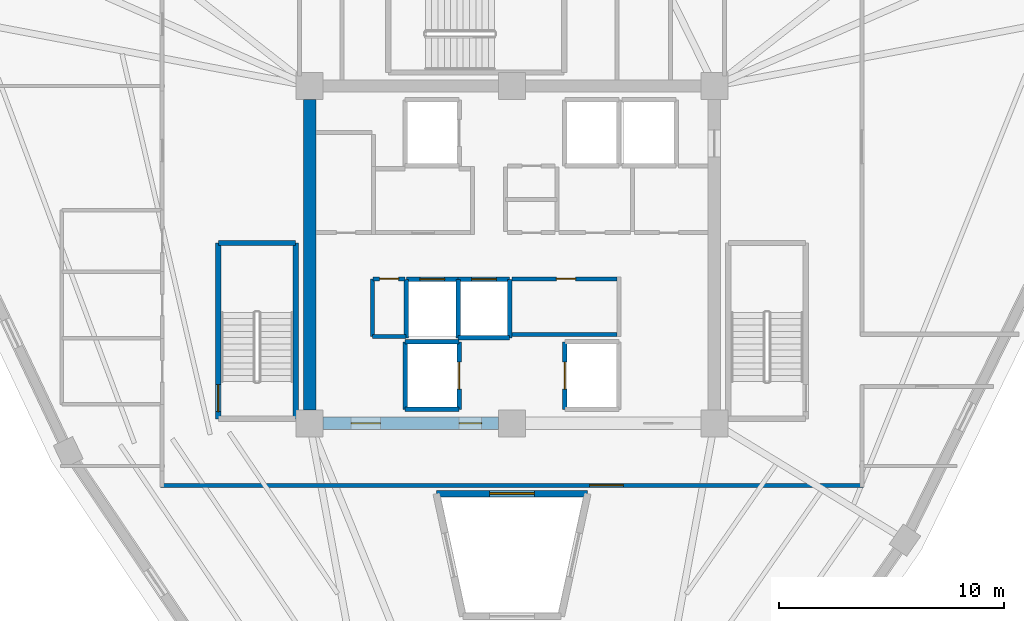
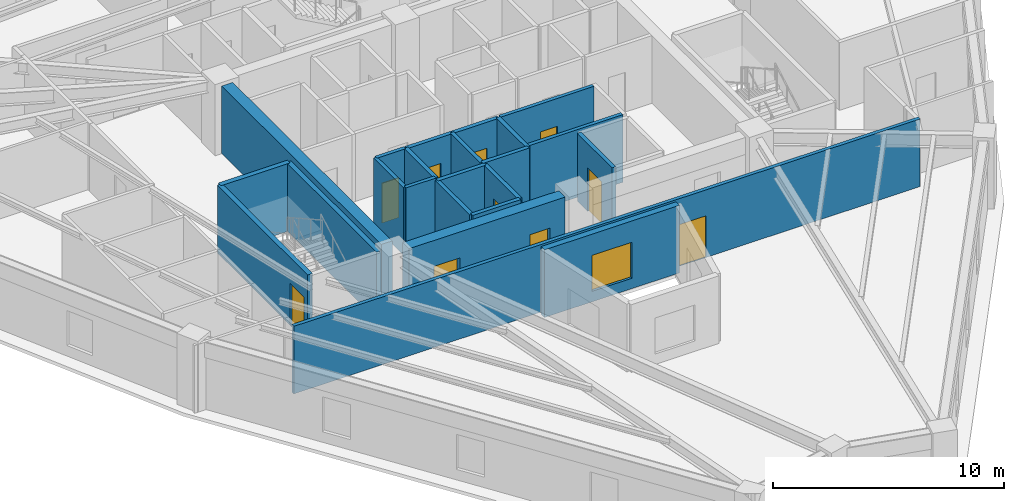
# One storey, part 3 of 8: 23 walls, 10 doors, 1 window, 11 openings.
"""IFC4 building model written with IfcOpenShell, lengths in metres."""

import ifcopenshell
import ifcopenshell.guid

model = None  # the IFC model being written
_history = None  # IfcOwnerHistory: only IFC2X3 demands one
_inside = {}  # id of a spatial element -> (the spatial element, [elements in it])
_under = {}  # id of a project, library or spatial element -> (it, [spatial elements below it])
_declared = {}  # id of a project -> (the project, [libraries it declares])
_typed = {}  # id of a type object -> (the type object, [elements of that type])
_made_of = {}  # id of a material, layer set ... -> (it, [elements and type objects made of it])


def new_model(schema):
    """Start an empty IFC model of exactly this schema.

    Asked for "IFC4X3", IfcOpenShell would pick the latest addendum, in which some entities
    have other attributes; the version numbers below select the first issue.
    IFC2X3 requires an IfcOwnerHistory on every rooted entity: one is made here for all.
    """
    global model, _history
    if schema == "IFC4X3":
        model = ifcopenshell.file(schema_version=(4, 3, 0, 0))
    else:
        model = ifcopenshell.file(schema=schema)
    _inside.clear()
    _under.clear()
    _declared.clear()
    _typed.clear()
    _made_of.clear()
    _history = None
    if model.schema == "IFC2X3":
        org = make("IfcOrganization", Name="unknown")
        user = make(
            "IfcPersonAndOrganization",
            ThePerson=make("IfcPerson", FamilyName="unknown"),
            TheOrganization=org,
        )
        app = make(
            "IfcApplication",
            ApplicationDeveloper=org,
            Version="unknown",
            ApplicationFullName="unknown",
            ApplicationIdentifier="unknown",
        )
        _history = make(
            "IfcOwnerHistory",
            OwningUser=user,
            OwningApplication=app,
            ChangeAction="ADDED",
            CreationDate=0,
        )
    return model


def make(cls, **values):
    """One entity of the class cls with the attributes given. An attribute that is None is left unset."""
    return model.create_entity(
        cls, **{name: value for name, value in values.items() if value is not None}
    )


def rooted(cls, **values):
    """An entity with a GlobalId (a new one), such as an element, a storey or a relation."""
    return make(cls, GlobalId=ifcopenshell.guid.new(), OwnerHistory=_history, **values)


def si_unit(unit_type, name, prefix=None):
    """IfcSIUnit, for example si_unit("LENGTHUNIT", "METRE", prefix="MILLI")."""
    return make("IfcSIUnit", UnitType=unit_type, Prefix=prefix, Name=name)


def assignment(units):
    """IfcUnitAssignment: the units of a project."""
    return None if units is None else make("IfcUnitAssignment", Units=units)


def point(xyz):
    """IfcCartesianPoint."""
    return None if xyz is None else make("IfcCartesianPoint", Coordinates=xyz)


def direction(xyz):
    """IfcDirection."""
    return None if xyz is None else make("IfcDirection", DirectionRatios=xyz)


def frame(location, z_axis=None, x_axis=None):
    """IfcAxis2Placement3D, a coordinate frame: its origin and axes. An axis left out is left unset."""
    return make(
        "IfcAxis2Placement3D",
        Location=point(location),
        Axis=direction(z_axis),
        RefDirection=direction(x_axis),
    )


def frame_2d(location, x_axis=None):
    """IfcAxis2Placement2D, a coordinate frame in the plane: its origin and x axis."""
    return make(
        "IfcAxis2Placement2D", Location=point(location), RefDirection=direction(x_axis)
    )


def origin():
    """The frame at (0, 0, 0) with its axes left unset."""
    return frame((0.0, 0.0, 0.0))


def place(relative_to, where):
    """IfcLocalPlacement: puts the frame where relative to a parent placement (None: the world)."""
    return make(
        "IfcLocalPlacement", PlacementRelTo=relative_to, RelativePlacement=where
    )


def context(
    kind, dimensions, precision=None, world=None, true_north=None, identifier=None
):
    """IfcGeometricRepresentationContext, for example the 3D "Model" context."""
    return make(
        "IfcGeometricRepresentationContext",
        ContextIdentifier=identifier,
        ContextType=kind,
        CoordinateSpaceDimension=dimensions,
        Precision=precision,
        WorldCoordinateSystem=world,
        TrueNorth=true_north,
    )


def subcontext(parent, identifier, kind, view, scale=None):
    """IfcGeometricRepresentationSubContext, for example "Body" below "Model"."""
    return make(
        "IfcGeometricRepresentationSubContext",
        ContextIdentifier=identifier,
        ContextType=kind,
        ParentContext=parent,
        TargetScale=scale,
        TargetView=view,
    )


def project(units=None, contexts=None):
    """IfcProject with its units and contexts."""
    return rooted(
        "IfcProject",
        Name="project",
        RepresentationContexts=contexts,
        UnitsInContext=assignment(units),
    )


def spatial(cls, under=None, at=None, **own):
    """A site, building, storey or space (cls), placed at a placement, below another one or the project."""
    s = rooted(cls, ObjectPlacement=at, **own)
    if under is not None:
        _under.setdefault(under.id(), (under, []))[1].append(s)
    return s


def profile(cls, at=None, kind="AREA", **sizes):
    """A parametric profile (cls). Its sizes go by their IFC names, for example OverallWidth=200.0."""
    return make(cls, ProfileType=kind, Position=at, **sizes)


def rectangle(**sizes):
    """IfcRectangleProfileDef."""
    return profile("IfcRectangleProfileDef", **sizes)


def extrude(swept, where, along, depth):
    """IfcExtrudedAreaSolid: the profile swept, set in the frame where, extruded along a direction by depth."""
    return make(
        "IfcExtrudedAreaSolid",
        SweptArea=swept,
        Position=where,
        ExtrudedDirection=direction(along),
        Depth=depth,
    )


def shape(context_of_items, identifier, shape_type, items):
    """IfcShapeRepresentation: the items that make up one representation, for example the "Body"."""
    return make(
        "IfcShapeRepresentation",
        ContextOfItems=context_of_items,
        RepresentationIdentifier=identifier,
        RepresentationType=shape_type,
        Items=items,
    )


def source(mapping_origin, context_of_items, identifier, shape_type, items):
    """IfcRepresentationMap: a shape defined once, which mapped items show again and again."""
    return make(
        "IfcRepresentationMap",
        MappingOrigin=mapping_origin,
        MappedRepresentation=shape(context_of_items, identifier, shape_type, items),
    )


def transform(
    local_origin,
    x_axis=None,
    y_axis=None,
    z_axis=None,
    scale=None,
    scale2=None,
    scale3=None,
    uniform=True,
):
    """IfcCartesianTransformationOperator3D, or its non-uniform kind. x_axis, y_axis, z_axis: its Axis1, 2, 3."""
    if uniform:
        return make(
            "IfcCartesianTransformationOperator3D",
            Axis1=direction(x_axis),
            Axis2=direction(y_axis),
            LocalOrigin=point(local_origin),
            Scale=scale,
            Axis3=direction(z_axis),
        )
    return make(
        "IfcCartesianTransformationOperator3DnonUniform",
        Axis1=direction(x_axis),
        Axis2=direction(y_axis),
        LocalOrigin=point(local_origin),
        Scale=scale,
        Axis3=direction(z_axis),
        Scale2=scale2,
        Scale3=scale3,
    )


def mapped(mapping_source, mapping_target):
    """IfcMappedItem: shows the shape of a source again, moved by a transform."""
    return make(
        "IfcMappedItem", MappingSource=mapping_source, MappingTarget=mapping_target
    )


def material(Name=None, Category=None):
    """IfcMaterial."""
    return make("IfcMaterial", Name=Name, Category=Category)


def layer(
    of_material, thickness, ventilated=None, Name=None, Category=None, Priority=None
):
    """IfcMaterialLayer: one layer of a wall or slab, of a material (None: an air gap)."""
    return make(
        "IfcMaterialLayer",
        Material=of_material,
        LayerThickness=thickness,
        IsVentilated=ventilated,
        Name=Name,
        Category=Category,
        Priority=Priority,
    )


def layer_set(layers, Name=None):
    """IfcMaterialLayerSet."""
    return make("IfcMaterialLayerSet", MaterialLayers=layers, LayerSetName=Name)


def made_of(thing, what):
    """Note that an element or type object is made of a material, layer set ...; save() writes the relation."""
    if what is not None:
        _made_of.setdefault(what.id(), (what, []))[1].append(thing)
    return thing


def type_object(cls, material=None, **own):
    """A type object (cls), such as IfcWallType, which elements share."""
    return made_of(rooted(cls, **own), material)


def element(
    cls,
    number,
    at=None,
    inside=None,
    cuts=None,
    type_object=None,
    material=None,
    context=None,
    identifier="Body",
    shape_type=None,
    held_by="IfcProductDefinitionShape",
    body=None,
    shapes=None,
    **own,
):
    """One element of the class cls, such as IfcWall. Its Tag is "e" and its number.

    at: its placement. inside: the storey or other place that contains it. cuts: it is an
    opening in that element (IfcRelVoidsElement). A single representation is given by context,
    identifier, shape_type and body (its items); several are given by shapes. held_by: the class
    of the entity that holds the representations. save() writes the other relations.
    """
    e = rooted(cls, Tag="e%d" % number, ObjectPlacement=at, **own)
    if body is not None:
        shapes = [shape(context, identifier, shape_type, body)]
    if shapes is not None:
        e.Representation = make(held_by, Representations=shapes)
    if inside is not None:
        _inside.setdefault(inside.id(), (inside, []))[1].append(e)
    if cuts is not None:
        rooted(
            "IfcRelVoidsElement", RelatingBuildingElement=cuts, RelatedOpeningElement=e
        )
    if type_object is not None:
        _typed.setdefault(type_object.id(), (type_object, []))[1].append(e)
    return made_of(e, material)


def fill(opening, filler):
    """IfcRelFillsElement: the door or window that sits in an opening."""
    return rooted(
        "IfcRelFillsElement",
        RelatingOpeningElement=opening,
        RelatedBuildingElement=filler,
    )


def aggregate(whole, parts):
    """IfcRelAggregates: a whole, such as a stair, and the parts it consists of."""
    return rooted("IfcRelAggregates", RelatingObject=whole, RelatedObjects=parts)


def save(model, path):
    """Write the relations noted so far, then the file.

    IfcRelAggregates (storeys below a building ...), IfcRelContainedInSpatialStructure (elements
    in a storey), IfcRelDefinesByType, IfcRelAssociatesMaterial and IfcRelDeclares: one each for
    every whole, place, type object, material and project.
    """
    for whole, parts in _under.values():
        aggregate(whole, parts)
    for where, things in _inside.values():
        rooted(
            "IfcRelContainedInSpatialStructure",
            RelatedElements=things,
            RelatingStructure=where,
        )
    for kind, things in _typed.values():
        rooted("IfcRelDefinesByType", RelatedObjects=things, RelatingType=kind)
    for what, things in _made_of.values():
        rooted("IfcRelAssociatesMaterial", RelatedObjects=things, RelatingMaterial=what)
    for by, libraries in _declared.values():
        rooted("IfcRelDeclares", RelatingContext=by, RelatedDefinitions=libraries)
    model.write(path)


model = new_model("IFC4")

# Units and contexts
model_context = context("Model", 3, precision=1e-05, world=origin(), true_north=direction((0.0, 1.0)))
body_context = subcontext(model_context, "Body", "Model", "MODEL_VIEW")
ifc_project = project(units=[si_unit("LENGTHUNIT", "METRE"), si_unit("AREAUNIT", "SQUARE_METRE"), si_unit("VOLUMEUNIT", "CUBIC_METRE"), si_unit("PLANEANGLEUNIT", "RADIAN"), si_unit("MASSUNIT", "GRAM", prefix="KILO")], contexts=[model_context])

# Site, building, storey
site_placement = place(None, origin())
site = spatial("IfcSite", under=ifc_project, at=site_placement, CompositionType="ELEMENT")
building_placement = place(site_placement, origin())
building = spatial("IfcBuilding", under=site, at=building_placement, Name="Liaohun Quay Tower", CompositionType="ELEMENT")
storey_placement = place(building_placement, frame((0.0, 0.0, 336.0)))
storey = spatial("IfcBuildingStorey", under=building, at=storey_placement, Name="L87", CompositionType="ELEMENT", Elevation=336.0)

# Wall, opening, window
ifc_material_1 = material(Name="Concrete C50", Category="concrete")
ifc_layer_1 = layer(ifc_material_1, 0.300048828125, Name="Concrete C50", Category="concrete")
ifc_layer_set_1 = layer_set([ifc_layer_1], Name="Concrete C50")
wall_type_1 = type_object("IfcWallType", Name="WAL-ATR-300", PredefinedType="SOLIDWALL", material=ifc_layer_set_1)
wall_1_placement = place(storey_placement, frame((56.631103515625, 43.3701171875, 0.0), z_axis=(0.0, 0.0, 1.0), x_axis=(1.0, 0.0, 0.0)))
wall_1 = element("IfcWall", 1, at=wall_1_placement, inside=storey, type_object=wall_type_1, Name="L87 Atrium Fire Compartment Wall 2", PredefinedType="SOLIDWALL", context=body_context, shape_type="SweptSolid", body=[
    extrude(rectangle(XDim=6.73779296875, YDim=0.300048828125, at=frame_2d((3.368896484375, 0.0))), origin(), (0.0, 0.0, 1.0), 3.570068359375),
])
shared_shape_1 = source(origin(), body_context, "Body", "SweptSolid", [
    extrude(rectangle(XDim=2.0, YDim=1.89990234375, at=frame_2d((1.0, 0.949951171875))), frame((0.0, 0.159912109375, 0.0), z_axis=(0.0, -1.0, 0.0), x_axis=(1.0, 0.0, 0.0)), (0.0, 0.0, 1.0), 0.320068359375),
])
opening_1_placement = place(wall_1_placement, frame((2.368896484375, 0.0, 0.550048828125)))
opening_1 = element("IfcOpeningElement", 2, at=opening_1_placement, cuts=wall_1, Name="Opening W07", PredefinedType="OPENING", context=body_context, shape_type="MappedRepresentation", body=[
    mapped(shared_shape_1, transform((0.0, 0.0, 0.0), x_axis=(1.0, 0.0, 0.0), y_axis=(0.0, 1.0, 0.0), z_axis=(0.0, 0.0, 1.0), scale=1.0)),
])
ifc_material_2 = material(Name="Class A 180-min fire-resistant insulated glazing", Category="glass")
window_type = type_object("IfcWindowType", Name="WIN-ATR-FIR", PartitioningType="DOUBLE_PANEL_VERTICAL", PredefinedType="WINDOW", material=ifc_material_2)
shared_shape_2 = source(origin(), body_context, "Body", "SweptSolid", [
    extrude(rectangle(XDim=2.0, YDim=1.89990234375, at=frame_2d((1.0, 0.949951171875))), frame((0.0, 0.030029296875, 0.0), z_axis=(0.0, -1.0, 0.0), x_axis=(1.0, 0.0, 0.0)), (0.0, 0.0, 1.0), 0.06005859375),
])
window_placement = place(opening_1_placement, origin())
window = element("IfcWindow", 3, at=window_placement, inside=storey, type_object=window_type, Name="L87 Atrium Fire-Resistant Glazing W07-2", OverallHeight=1.89990234375, OverallWidth=2.0, PartitioningType="DOUBLE_PANEL_VERTICAL", PredefinedType="WINDOW", context=body_context, shape_type="MappedRepresentation", body=[
    mapped(shared_shape_2, transform((0.0, 0.0, 0.0), x_axis=(1.0, 0.0, 0.0), y_axis=(0.0, 1.0, 0.0), z_axis=(0.0, 0.0, 1.0), scale=1.0)),
])
fill(opening_1, window)

# Wall, openings, doors
ifc_layer_2 = layer(ifc_material_1, 0.550048828125, Name="Concrete C50", Category="concrete")
ifc_layer_set_2 = layer_set([ifc_layer_2], Name="Concrete C50")
wall_type_2 = type_object("IfcWallType", Name="WAL-COR-Z4", PredefinedType="SHEAR", material=ifc_layer_set_2)
wall_2_placement = place(storey_placement, frame((59.39990234375, 46.5, 0.0), z_axis=(0.0, 0.0, 1.0), x_axis=(-1.0, 0.0, 0.0)))
wall_2 = element("IfcWall", 4, at=wall_2_placement, inside=storey, type_object=wall_type_2, Name="L87 Central Core Shear Wall S-W", PredefinedType="SHEAR", context=body_context, shape_type="SweptSolid", body=[
    extrude(rectangle(XDim=7.7998046875, YDim=0.550048828125, at=frame_2d((3.89990234375, 0.0))), origin(), (0.0, 0.0, 1.0), 3.570068359375),
])
shared_shape_3 = source(origin(), body_context, "Body", "SweptSolid", [
    extrude(rectangle(XDim=1.300048828125, YDim=2.199951171875, at=frame_2d((0.64990234375, 1.10009765625))), frame((0.0, 0.284912109375, 0.0), z_axis=(0.0, -1.0, 0.0), x_axis=(1.0, 0.0, 0.0)), (0.0, 0.0, 1.0), 0.570068359375),
])
opening_2_placement = place(wall_2_placement, frame((5.25, 0.0, 0.0)))
opening_2 = element("IfcOpeningElement", 5, at=opening_2_placement, cuts=wall_2, Name="Opening FD1", PredefinedType="OPENING", context=body_context, shape_type="MappedRepresentation", body=[
    mapped(shared_shape_3, transform((0.0, 0.0, 0.0), x_axis=(1.0, 0.0, 0.0), y_axis=(0.0, 1.0, 0.0), z_axis=(0.0, 0.0, 1.0), scale=1.0)),
])
shared_shape_4 = source(origin(), body_context, "Body", "SweptSolid", [
    extrude(rectangle(XDim=1.0, YDim=2.199951171875, at=frame_2d((0.5, 1.10009765625))), frame((0.0, 0.284912109375, 0.0), z_axis=(0.0, -1.0, 0.0), x_axis=(1.0, 0.0, 0.0)), (0.0, 0.0, 1.0), 0.570068359375),
])
opening_3_placement = place(wall_2_placement, frame((0.75, 0.0, 0.0)))
opening_3 = element("IfcOpeningElement", 6, at=opening_3_placement, cuts=wall_2, Name="Opening FD2", PredefinedType="OPENING", context=body_context, shape_type="MappedRepresentation", body=[
    mapped(shared_shape_4, transform((0.0, 0.0, 0.0), x_axis=(1.0, 0.0, 0.0), y_axis=(0.0, 1.0, 0.0), z_axis=(0.0, 0.0, 1.0), scale=1.0)),
])
ifc_material_3 = material(Name="Galvanised steel smokeproof fire door", Category="steel")
door_type_1 = type_object("IfcDoorType", Name="DOR-FFL-1300", OperationType="NOTDEFINED", PredefinedType="DOOR", material=ifc_material_3)
shared_shape_5 = source(origin(), body_context, "Body", "SweptSolid", [
    extrude(rectangle(XDim=1.300048828125, YDim=2.199951171875, at=frame_2d((0.64990234375, 1.10009765625))), frame((0.0, 0.02490234375, 0.0), z_axis=(0.0, -1.0, 0.0), x_axis=(1.0, 0.0, 0.0)), (0.0, 0.0, 1.0), 0.050048828125),
])
door_1_placement = place(opening_2_placement, origin())
door_1 = element("IfcDoor", 7, at=door_1_placement, inside=storey, type_object=door_type_1, Name="L87 West Core Lift Lobby Smokeproof Door", OperationType="SINGLE_SWING_RIGHT", OverallHeight=2.199951171875, OverallWidth=1.300048828125, PredefinedType="DOOR", context=body_context, shape_type="MappedRepresentation", body=[
    mapped(shared_shape_5, transform((0.0, 0.0, 0.0), x_axis=(1.0, 0.0, 0.0), y_axis=(0.0, 1.0, 0.0), z_axis=(0.0, 0.0, 1.0), scale=1.0)),
])
fill(opening_2, door_1)
ifc_material_4 = material(Name="Galvanised steel smokeproof lobby fire door", Category="steel")
door_type_2 = type_object("IfcDoorType", Name="DOR-FFL-1000", OperationType="NOTDEFINED", PredefinedType="DOOR", material=ifc_material_4)
shared_shape_6 = source(origin(), body_context, "Body", "SweptSolid", [
    extrude(rectangle(XDim=1.0, YDim=2.199951171875, at=frame_2d((0.5, 1.10009765625))), frame((0.0, 0.02490234375, 0.0), z_axis=(0.0, -1.0, 0.0), x_axis=(1.0, 0.0, 0.0)), (0.0, 0.0, 1.0), 0.050048828125),
])
door_2_placement = place(opening_3_placement, origin())
door_2 = element("IfcDoor", 8, at=door_2_placement, inside=storey, type_object=door_type_2, Name="L87 South Firefighting Lobby Smokeproof Door", OperationType="SINGLE_SWING_LEFT", OverallHeight=2.199951171875, OverallWidth=1.0, PredefinedType="DOOR", context=body_context, shape_type="MappedRepresentation", body=[
    mapped(shared_shape_6, transform((0.0, 0.0, 0.0), x_axis=(1.0, 0.0, 0.0), y_axis=(0.0, 1.0, 0.0), z_axis=(0.0, 0.0, 1.0), scale=1.0)),
])
fill(opening_3, door_2)

# Wall
wall_3_placement = place(storey_placement, frame((51.0, 47.10009765625, 0.0), z_axis=(0.0, 0.0, 1.0), x_axis=(0.0, 1.0, 0.0)))
element("IfcWall", 9, at=wall_3_placement, inside=storey, type_object=wall_type_2, Name="L87 Central Core Shear Wall W", PredefinedType="SHEAR", context=body_context, shape_type="SweptSolid", body=[
    extrude(rectangle(XDim=13.7998046875, YDim=0.550048828125, at=frame_2d((6.89990234375, 0.0))), origin(), (0.0, 0.0, 1.0), 3.570068359375),
])

# Wall, opening, door
ifc_material_5 = material(Name="Autoclaved aerated concrete blockwork", Category="masonry")
ifc_layer_3 = layer(ifc_material_5, 0.179931640625, Name="Autoclaved aerated concrete blockwork", Category="masonry")
ifc_layer_set_3 = layer_set([ifc_layer_3], Name="Autoclaved aerated concrete blockwork")
wall_type_3 = type_object("IfcWallType", Name="WAL-PRT-COR", PredefinedType="PARTITIONING", material=ifc_layer_set_3)
wall_4_placement = place(storey_placement, frame((60.0, 52.919921875, 0.0), z_axis=(0.0, 0.0, 1.0), x_axis=(1.0, 0.0, 0.0)))
wall_4 = element("IfcWall", 10, at=wall_4_placement, inside=storey, type_object=wall_type_3, Name="L87 Interior Partition Wall 001", PredefinedType="PARTITIONING", context=body_context, shape_type="SweptSolid", body=[
    extrude(rectangle(XDim=4.659912109375, YDim=0.179931640625, at=frame_2d((2.330078125, 0.0))), origin(), (0.0, 0.0, 1.0), 3.570068359375),
])
shared_shape_7 = source(origin(), body_context, "Body", "SweptSolid", [
    extrude(rectangle(XDim=0.85009765625, YDim=2.10009765625, at=frame_2d((0.425048828125, 1.050048828125))), frame((0.0, 0.099853515625, 0.0), z_axis=(0.0, -1.0, 0.0), x_axis=(1.0, 0.0, 0.0)), (0.0, 0.0, 1.0), 0.199951171875),
])
opening_4_placement = place(wall_4_placement, frame((1.97509765625, 0.0, 0.0)))
opening_4 = element("IfcOpeningElement", 11, at=opening_4_placement, cuts=wall_4, Name="Opening AD1", PredefinedType="OPENING", context=body_context, shape_type="MappedRepresentation", body=[
    mapped(shared_shape_7, transform((0.0, 0.0, 0.0), x_axis=(1.0, 0.0, 0.0), y_axis=(0.0, 1.0, 0.0), z_axis=(0.0, 0.0, 1.0), scale=1.0)),
])
ifc_material_6 = material(Name="Steel riser inspection fire door", Category="steel")
door_type_3 = type_object("IfcDoorType", Name="DOR-SHF-850", OperationType="NOTDEFINED", PredefinedType="DOOR", material=ifc_material_6)
shared_shape_8 = source(origin(), body_context, "Body", "SweptSolid", [
    extrude(rectangle(XDim=0.85009765625, YDim=2.10009765625, at=frame_2d((0.425048828125, 1.050048828125))), frame((0.0, 0.02490234375, 0.0), z_axis=(0.0, -1.0, 0.0), x_axis=(1.0, 0.0, 0.0)), (0.0, 0.0, 1.0), 0.050048828125),
])
door_3_placement = place(opening_4_placement, origin())
door_3 = element("IfcDoor", 12, at=door_3_placement, inside=storey, type_object=door_type_3, Name="L87 Core High-Zone BMS and Switch Room Door", OperationType="SINGLE_SWING_LEFT", OverallHeight=2.10009765625, OverallWidth=0.85009765625, PredefinedType="DOOR", context=body_context, shape_type="MappedRepresentation", body=[
    mapped(shared_shape_8, transform((0.0, 0.0, 0.0), x_axis=(1.0, 0.0, 0.0), y_axis=(0.0, 1.0, 0.0), z_axis=(0.0, 0.0, 1.0), scale=1.0)),
])
fill(opening_4, door_3)

wall_5_placement = place(storey_placement, frame((53.820068359375, 52.919921875, 0.0), z_axis=(0.0, 0.0, 1.0), x_axis=(1.0, 0.0, 0.0)))
wall_5 = element("IfcWall", 13, at=wall_5_placement, inside=storey, type_object=wall_type_3, Name="L87 Interior Partition Wall 008", PredefinedType="PARTITIONING", context=body_context, shape_type="SweptSolid", body=[
    extrude(rectangle(XDim=1.429931640625, YDim=0.179931640625, at=frame_2d((0.71484375, 0.0))), origin(), (0.0, 0.0, 1.0), 3.570068359375),
])
opening_5_placement = place(wall_5_placement, frame((0.2900390625, 0.0, 0.0)))
opening_5 = element("IfcOpeningElement", 14, at=opening_5_placement, cuts=wall_5, Name="Opening AD1", PredefinedType="OPENING", context=body_context, shape_type="MappedRepresentation", body=[
    mapped(shared_shape_7, transform((0.0, 0.0, 0.0), x_axis=(1.0, 0.0, 0.0), y_axis=(0.0, 1.0, 0.0), z_axis=(0.0, 0.0, 1.0), scale=1.0)),
])
door_4_placement = place(opening_5_placement, origin())
door_4 = element("IfcDoor", 15, at=door_4_placement, inside=storey, type_object=door_type_3, Name="L87 Core Fire Hose and Riser Closet Door", OperationType="SINGLE_SWING_RIGHT", OverallHeight=2.10009765625, OverallWidth=0.85009765625, PredefinedType="DOOR", context=body_context, shape_type="MappedRepresentation", body=[
    mapped(shared_shape_8, transform((0.0, 0.0, 0.0), x_axis=(1.0, 0.0, 0.0), y_axis=(0.0, 1.0, 0.0), z_axis=(0.0, 0.0, 1.0), scale=1.0)),
])
fill(opening_5, door_4)

wall_6_placement = place(storey_placement, frame((75.6298828125, 43.739990234375, 0.0), z_axis=(0.0, 0.0, 1.0), x_axis=(-1.0, 0.0, 0.0)))
wall_6 = element("IfcWall", 16, at=wall_6_placement, inside=storey, type_object=wall_type_3, Name="L87 Interior Partition Wall 026", PredefinedType="PARTITIONING", context=body_context, shape_type="SweptSolid", body=[
    extrude(rectangle(XDim=31.259765625, YDim=0.179931640625, at=frame_2d((15.6298828125, 0.0))), origin(), (0.0, 0.0, 1.0), 3.570068359375),
])
shared_shape_9 = source(origin(), body_context, "Body", "SweptSolid", [
    extrude(rectangle(XDim=1.5, YDim=2.199951171875, at=frame_2d((0.75, 1.10009765625))), frame((0.0, 0.099853515625, 0.0), z_axis=(0.0, -1.0, 0.0), x_axis=(1.0, 0.0, 0.0)), (0.0, 0.0, 1.0), 0.199951171875),
])
opening_6_placement = place(wall_6_placement, frame((10.679931640625, 0.0, 0.0)))
opening_6 = element("IfcOpeningElement", 17, at=opening_6_placement, cuts=wall_6, Name="Opening OD2", PredefinedType="OPENING", context=body_context, shape_type="MappedRepresentation", body=[
    mapped(shared_shape_9, transform((0.0, 0.0, 0.0), x_axis=(1.0, 0.0, 0.0), y_axis=(0.0, 1.0, 0.0), z_axis=(0.0, 0.0, 1.0), scale=1.0)),
])
ifc_material_7 = material(Name="Acoustic oak veneer double door")
door_type_4 = type_object("IfcDoorType", Name="DOR-OFF-1500", OperationType="DOUBLE_DOOR_SINGLE_SWING", PredefinedType="DOOR", material=ifc_material_7)
shared_shape_10 = source(origin(), body_context, "Body", "SweptSolid", [
    extrude(rectangle(XDim=1.5, YDim=2.199951171875, at=frame_2d((0.75, 1.10009765625))), frame((0.0, 0.02490234375, 0.0), z_axis=(0.0, -1.0, 0.0), x_axis=(1.0, 0.0, 0.0)), (0.0, 0.0, 1.0), 0.050048828125),
])
door_5_placement = place(opening_6_placement, origin())
door_5 = element("IfcDoor", 18, at=door_5_placement, inside=storey, type_object=door_type_4, Name="L87 Corporate Exhibition Gallery 08 Door", OperationType="DOUBLE_DOOR_SINGLE_SWING", OverallHeight=2.199951171875, OverallWidth=1.5, PredefinedType="DOOR", context=body_context, shape_type="MappedRepresentation", body=[
    mapped(shared_shape_10, transform((0.0, 0.0, 0.0), x_axis=(1.0, 0.0, 0.0), y_axis=(0.0, 1.0, 0.0), z_axis=(0.0, 0.0, 1.0), scale=1.0)),
])
fill(opening_6, door_5)

# Walls
wall_7_placement = place(storey_placement, frame((53.7900390625, 50.35009765625, 0.0), z_axis=(0.0, 0.0, 1.0), x_axis=(0.0, 1.0, 0.0)))
element("IfcWall", 19, at=wall_7_placement, inside=storey, type_object=wall_type_3, Name="L87 Interior Partition Wall 033", PredefinedType="PARTITIONING", context=body_context, shape_type="SweptSolid", body=[
    extrude(rectangle(XDim=2.56982421875, YDim=0.179931640625, at=frame_2d((1.284912109375, 0.0))), origin(), (0.0, 0.0, 1.0), 3.570068359375),
])
wall_8_placement = place(storey_placement, frame((53.7900390625, 50.35009765625, 0.0), z_axis=(0.0, 0.0, 1.0), x_axis=(1.0, 0.0, 0.0)))
element("IfcWall", 20, at=wall_8_placement, inside=storey, type_object=wall_type_3, Name="L87 Interior Partition Wall 034", PredefinedType="PARTITIONING", context=body_context, shape_type="SweptSolid", body=[
    extrude(rectangle(XDim=1.489990234375, YDim=0.179931640625, at=frame_2d((0.7451171875, 0.0))), origin(), (0.0, 0.0, 1.0), 3.570068359375),
])
wall_9_placement = place(storey_placement, frame((60.0, 50.449951171875, 0.0), z_axis=(0.0, 0.0, 1.0), x_axis=(1.0, 0.0, 0.0)))
element("IfcWall", 21, at=wall_9_placement, inside=storey, type_object=wall_type_3, Name="L87 Interior Partition Wall 062", PredefinedType="PARTITIONING", context=body_context, shape_type="SweptSolid", body=[
    extrude(rectangle(XDim=4.659912109375, YDim=0.179931640625, at=frame_2d((2.330078125, 0.0))), origin(), (0.0, 0.0, 1.0), 3.570068359375),
])
ifc_layer_4 = layer(ifc_material_1, 0.239990234375, Name="Concrete C50", Category="concrete")
ifc_layer_set_4 = layer_set([ifc_layer_4], Name="Concrete C50")
wall_type_4 = type_object("IfcWallType", Name="WAL-SHF-200", PredefinedType="SOLIDWALL", material=ifc_layer_set_4)
wall_10_placement = place(storey_placement, frame((50.3798828125, 46.699951171875, 0.0), z_axis=(0.0, 0.0, 1.0), x_axis=(0.0, 1.0, 0.0)))
element("IfcWall", 22, at=wall_10_placement, inside=storey, type_object=wall_type_4, Name="L87 Stairwell ST-1 Structural Core Wall E", PredefinedType="SOLIDWALL", context=body_context, shape_type="SweptSolid", body=[
    extrude(rectangle(XDim=7.820068359375, YDim=0.239990234375, at=frame_2d((3.91015625, 0.0))), origin(), (0.0, 0.0, 1.0), 3.570068359375),
])
wall_11_placement = place(storey_placement, frame((50.3798828125, 54.52001953125, 0.0), z_axis=(0.0, 0.0, 1.0), x_axis=(-1.0, 0.0, 0.0)))
element("IfcWall", 23, at=wall_11_placement, inside=storey, type_object=wall_type_4, Name="L87 Stairwell ST-1 Structural Core Wall N", PredefinedType="SOLIDWALL", context=body_context, shape_type="SweptSolid", body=[
    extrude(rectangle(XDim=3.43994140625, YDim=0.239990234375, at=frame_2d((1.719970703125, 0.0))), origin(), (0.0, 0.0, 1.0), 3.570068359375),
])

# Wall, opening, door
wall_12_placement = place(storey_placement, frame((46.93994140625, 54.52001953125, 0.0), z_axis=(0.0, 0.0, 1.0), x_axis=(0.0, -1.0, 0.0)))
wall_12 = element("IfcWall", 24, at=wall_12_placement, inside=storey, type_object=wall_type_4, Name="L87 Stairwell ST-1 Structural Core Wall W", PredefinedType="SOLIDWALL", context=body_context, shape_type="SweptSolid", body=[
    extrude(rectangle(XDim=7.820068359375, YDim=0.239990234375, at=frame_2d((3.91015625, 0.0))), origin(), (0.0, 0.0, 1.0), 3.570068359375),
])
shared_shape_11 = source(origin(), body_context, "Body", "SweptSolid", [
    extrude(rectangle(XDim=1.199951171875, YDim=2.199951171875, at=frame_2d((0.60009765625, 1.10009765625))), frame((0.0, 0.1298828125, 0.0), z_axis=(0.0, -1.0, 0.0), x_axis=(1.0, 0.0, 0.0)), (0.0, 0.0, 1.0), 0.260009765625),
])
opening_7_placement = place(wall_12_placement, frame((6.300048828125, 0.0, 0.0)))
opening_7 = element("IfcOpeningElement", 25, at=opening_7_placement, cuts=wall_12, Name="Opening SD1", PredefinedType="OPENING", context=body_context, shape_type="MappedRepresentation", body=[
    mapped(shared_shape_11, transform((0.0, 0.0, 0.0), x_axis=(1.0, 0.0, 0.0), y_axis=(0.0, 1.0, 0.0), z_axis=(0.0, 0.0, 1.0), scale=1.0)),
])
ifc_material_8 = material(Name="Galvanised steel fire door", Category="steel")
door_type_5 = type_object("IfcDoorType", Name="DOR-STR-1200", OperationType="NOTDEFINED", PredefinedType="DOOR", material=ifc_material_8)
shared_shape_12 = source(origin(), body_context, "Body", "SweptSolid", [
    extrude(rectangle(XDim=1.199951171875, YDim=2.199951171875, at=frame_2d((0.60009765625, 1.10009765625))), frame((0.0, 0.02490234375, 0.0), z_axis=(0.0, -1.0, 0.0), x_axis=(1.0, 0.0, 0.0)), (0.0, 0.0, 1.0), 0.050048828125),
])
door_6_placement = place(opening_7_placement, origin())
door_6 = element("IfcDoor", 26, at=door_6_placement, inside=storey, type_object=door_type_5, Name="L87 Protected Stair ST-1 Fire Door", OperationType="SINGLE_SWING_LEFT", OverallHeight=2.199951171875, OverallWidth=1.199951171875, PredefinedType="DOOR", context=body_context, shape_type="MappedRepresentation", body=[
    mapped(shared_shape_12, transform((0.0, 0.0, 0.0), x_axis=(1.0, 0.0, 0.0), y_axis=(0.0, 1.0, 0.0), z_axis=(0.0, 0.0, 1.0), scale=1.0)),
])
fill(opening_7, door_6)

# Wall
wall_13_placement = place(storey_placement, frame((55.25, 47.1201171875, 0.0), z_axis=(0.0, 0.0, 1.0), x_axis=(1.0, 0.0, 0.0)))
element("IfcWall", 27, at=wall_13_placement, inside=storey, type_object=wall_type_4, Name="L87 Lift FF-01 Hoistway Wall S", PredefinedType="SOLIDWALL", context=body_context, shape_type="SweptSolid", body=[
    extrude(rectangle(XDim=2.39990234375, YDim=0.199951171875, at=frame_2d((1.199951171875, 0.0))), origin(), (0.0, 0.0, 1.0), 3.570068359375),
])

# Wall, opening, door
wall_14_placement = place(storey_placement, frame((57.64990234375, 47.1201171875, 0.0), z_axis=(0.0, 0.0, 1.0), x_axis=(0.0, 1.0, 0.0)))
wall_14 = element("IfcWall", 28, at=wall_14_placement, inside=storey, type_object=wall_type_4, Name="L87 Lift FF-01 Hoistway Wall E", PredefinedType="SOLIDWALL", context=body_context, shape_type="SweptSolid", body=[
    extrude(rectangle(XDim=3.0, YDim=0.199951171875, at=frame_2d((1.5, 0.0))), origin(), (0.0, 0.0, 1.0), 3.570068359375),
])
shared_shape_13 = source(origin(), body_context, "Body", "SweptSolid", [
    extrude(rectangle(XDim=1.199951171875, YDim=2.300048828125, at=frame_2d((0.60009765625, 1.14990234375))), frame((0.0, 0.10986328125, 0.0), z_axis=(0.0, -1.0, 0.0), x_axis=(1.0, 0.0, 0.0)), (0.0, 0.0, 1.0), 0.219970703125),
])
opening_8_placement = place(wall_14_placement, frame((0.89990234375, 0.0, 0.0)))
opening_8 = element("IfcOpeningElement", 29, at=opening_8_placement, cuts=wall_14, Name="Opening LD2", PredefinedType="OPENING", context=body_context, shape_type="MappedRepresentation", body=[
    mapped(shared_shape_13, transform((0.0, 0.0, 0.0), x_axis=(1.0, 0.0, 0.0), y_axis=(0.0, 1.0, 0.0), z_axis=(0.0, 0.0, 1.0), scale=1.0)),
])
ifc_material_9 = material(Name="Brushed stainless steel stretcher landing door", Category="steel")
door_type_6 = type_object("IfcDoorType", Name="DOR-LFT-1200", OperationType="SLIDING_TO_LEFT", PredefinedType="DOOR", material=ifc_material_9)
shared_shape_14 = source(origin(), body_context, "Body", "SweptSolid", [
    extrude(rectangle(XDim=1.199951171875, YDim=2.300048828125, at=frame_2d((0.60009765625, 1.14990234375))), frame((0.0, 0.02490234375, 0.0), z_axis=(0.0, -1.0, 0.0), x_axis=(1.0, 0.0, 0.0)), (0.0, 0.0, 1.0), 0.050048828125),
])
door_7_placement = place(opening_8_placement, origin())
door_7 = element("IfcDoor", 30, at=door_7_placement, inside=storey, type_object=door_type_6, Name="L87 Lift FF-01 Sliding Landing Door", OperationType="SLIDING_TO_LEFT", OverallHeight=2.300048828125, OverallWidth=1.199951171875, PredefinedType="DOOR", context=body_context, shape_type="MappedRepresentation", body=[
    mapped(shared_shape_14, transform((0.0, 0.0, 0.0), x_axis=(1.0, 0.0, 0.0), y_axis=(0.0, 1.0, 0.0), z_axis=(0.0, 0.0, 1.0), scale=1.0)),
])
fill(opening_8, door_7)

# Walls
wall_15_placement = place(storey_placement, frame((57.64990234375, 50.1201171875, 0.0), z_axis=(0.0, 0.0, 1.0), x_axis=(-1.0, 0.0, 0.0)))
element("IfcWall", 31, at=wall_15_placement, inside=storey, type_object=wall_type_4, Name="L87 Lift FF-01 Hoistway Wall N", PredefinedType="SOLIDWALL", context=body_context, shape_type="SweptSolid", body=[
    extrude(rectangle(XDim=2.39990234375, YDim=0.199951171875, at=frame_2d((1.199951171875, 0.0))), origin(), (0.0, 0.0, 1.0), 3.570068359375),
])
wall_16_placement = place(storey_placement, frame((55.25, 50.1201171875, 0.0), z_axis=(0.0, 0.0, 1.0), x_axis=(0.0, -1.0, 0.0)))
element("IfcWall", 32, at=wall_16_placement, inside=storey, type_object=wall_type_4, Name="L87 Lift FF-01 Hoistway Wall W", PredefinedType="SOLIDWALL", context=body_context, shape_type="SweptSolid", body=[
    extrude(rectangle(XDim=3.0, YDim=0.199951171875, at=frame_2d((1.5, 0.0))), origin(), (0.0, 0.0, 1.0), 3.570068359375),
])

# Wall, opening, door
wall_17_placement = place(storey_placement, frame((62.35009765625, 50.1201171875, 0.0), z_axis=(0.0, 0.0, 1.0), x_axis=(0.0, -1.0, 0.0)))
wall_17 = element("IfcWall", 33, at=wall_17_placement, inside=storey, type_object=wall_type_4, Name="L87 Lift FF-02 Hoistway Wall W", PredefinedType="SOLIDWALL", context=body_context, shape_type="SweptSolid", body=[
    extrude(rectangle(XDim=3.0, YDim=0.199951171875, at=frame_2d((1.5, 0.0))), origin(), (0.0, 0.0, 1.0), 3.570068359375),
])
opening_9_placement = place(wall_17_placement, frame((0.89990234375, 0.0, 0.0)))
opening_9 = element("IfcOpeningElement", 34, at=opening_9_placement, cuts=wall_17, Name="Opening LD2", PredefinedType="OPENING", context=body_context, shape_type="MappedRepresentation", body=[
    mapped(shared_shape_13, transform((0.0, 0.0, 0.0), x_axis=(1.0, 0.0, 0.0), y_axis=(0.0, 1.0, 0.0), z_axis=(0.0, 0.0, 1.0), scale=1.0)),
])
door_8_placement = place(opening_9_placement, origin())
door_8 = element("IfcDoor", 35, at=door_8_placement, inside=storey, type_object=door_type_6, Name="L87 Lift FF-02 Sliding Landing Door", OperationType="SLIDING_TO_LEFT", OverallHeight=2.300048828125, OverallWidth=1.199951171875, PredefinedType="DOOR", context=body_context, shape_type="MappedRepresentation", body=[
    mapped(shared_shape_14, transform((0.0, 0.0, 0.0), x_axis=(1.0, 0.0, 0.0), y_axis=(0.0, 1.0, 0.0), z_axis=(0.0, 0.0, 1.0), scale=1.0)),
])
fill(opening_9, door_8)

# Wall
wall_18_placement = place(storey_placement, frame((57.60009765625, 50.300048828125, 0.0), z_axis=(0.0, 0.0, 1.0), x_axis=(0.0, 1.0, 0.0)))
element("IfcWall", 36, at=wall_18_placement, inside=storey, type_object=wall_type_4, Name="L87 Lift PL-4A Hoistway Wall E", PredefinedType="SOLIDWALL", context=body_context, shape_type="SweptSolid", body=[
    extrude(rectangle(XDim=2.599853515625, YDim=0.199951171875, at=frame_2d((1.2998046875, 0.0))), origin(), (0.0, 0.0, 1.0), 3.570068359375),
])

# Wall, opening, door
wall_19_placement = place(storey_placement, frame((57.60009765625, 52.89990234375, 0.0), z_axis=(0.0, 0.0, 1.0), x_axis=(-1.0, 0.0, 0.0)))
wall_19 = element("IfcWall", 37, at=wall_19_placement, inside=storey, type_object=wall_type_4, Name="L87 Lift PL-4A Hoistway Wall N", PredefinedType="SOLIDWALL", context=body_context, shape_type="SweptSolid", body=[
    extrude(rectangle(XDim=2.300048828125, YDim=0.199951171875, at=frame_2d((1.14990234375, 0.0))), origin(), (0.0, 0.0, 1.0), 3.570068359375),
])
shared_shape_15 = source(origin(), body_context, "Body", "SweptSolid", [
    extrude(rectangle(XDim=1.10009765625, YDim=2.199951171875, at=frame_2d((0.550048828125, 1.10009765625))), frame((0.0, 0.10986328125, 0.0), z_axis=(0.0, -1.0, 0.0), x_axis=(1.0, 0.0, 0.0)), (0.0, 0.0, 1.0), 0.219970703125),
])
opening_10_placement = place(wall_19_placement, frame((0.60009765625, 0.0, 0.0)))
opening_10 = element("IfcOpeningElement", 38, at=opening_10_placement, cuts=wall_19, Name="Opening LD1", PredefinedType="OPENING", context=body_context, shape_type="MappedRepresentation", body=[
    mapped(shared_shape_15, transform((0.0, 0.0, 0.0), x_axis=(1.0, 0.0, 0.0), y_axis=(0.0, 1.0, 0.0), z_axis=(0.0, 0.0, 1.0), scale=1.0)),
])
ifc_material_10 = material(Name="Brushed stainless steel landing door", Category="steel")
door_type_7 = type_object("IfcDoorType", Name="DOR-LFT-1100", OperationType="SLIDING_TO_LEFT", PredefinedType="DOOR", material=ifc_material_10)
shared_shape_16 = source(origin(), body_context, "Body", "SweptSolid", [
    extrude(rectangle(XDim=1.10009765625, YDim=2.199951171875, at=frame_2d((0.550048828125, 1.10009765625))), frame((0.0, 0.02490234375, 0.0), z_axis=(0.0, -1.0, 0.0), x_axis=(1.0, 0.0, 0.0)), (0.0, 0.0, 1.0), 0.050048828125),
])
door_9_placement = place(opening_10_placement, origin())
door_9 = element("IfcDoor", 39, at=door_9_placement, inside=storey, type_object=door_type_7, Name="L87 Lift PL-4A Sliding Landing Door", OperationType="SLIDING_TO_LEFT", OverallHeight=2.199951171875, OverallWidth=1.10009765625, PredefinedType="DOOR", context=body_context, shape_type="MappedRepresentation", body=[
    mapped(shared_shape_16, transform((0.0, 0.0, 0.0), x_axis=(1.0, 0.0, 0.0), y_axis=(0.0, 1.0, 0.0), z_axis=(0.0, 0.0, 1.0), scale=1.0)),
])
fill(opening_10, door_9)

# Walls
wall_20_placement = place(storey_placement, frame((55.300048828125, 52.89990234375, 0.0), z_axis=(0.0, 0.0, 1.0), x_axis=(0.0, -1.0, 0.0)))
element("IfcWall", 40, at=wall_20_placement, inside=storey, type_object=wall_type_4, Name="L87 Lift PL-4A Hoistway Wall W", PredefinedType="SOLIDWALL", context=body_context, shape_type="SweptSolid", body=[
    extrude(rectangle(XDim=2.599853515625, YDim=0.199951171875, at=frame_2d((1.2998046875, 0.0))), origin(), (0.0, 0.0, 1.0), 3.570068359375),
])
wall_21_placement = place(storey_placement, frame((57.60009765625, 50.300048828125, 0.0), z_axis=(0.0, 0.0, 1.0), x_axis=(1.0, 0.0, 0.0)))
element("IfcWall", 41, at=wall_21_placement, inside=storey, type_object=wall_type_4, Name="L87 Lift PL-4B Hoistway Wall S", PredefinedType="SOLIDWALL", context=body_context, shape_type="SweptSolid", body=[
    extrude(rectangle(XDim=2.2998046875, YDim=0.199951171875, at=frame_2d((1.14990234375, 0.0))), origin(), (0.0, 0.0, 1.0), 3.570068359375),
])
wall_22_placement = place(storey_placement, frame((59.89990234375, 50.300048828125, 0.0), z_axis=(0.0, 0.0, 1.0), x_axis=(0.0, 1.0, 0.0)))
element("IfcWall", 42, at=wall_22_placement, inside=storey, type_object=wall_type_4, Name="L87 Lift PL-4B Hoistway Wall E", PredefinedType="SOLIDWALL", context=body_context, shape_type="SweptSolid", body=[
    extrude(rectangle(XDim=2.599853515625, YDim=0.199951171875, at=frame_2d((1.2998046875, 0.0))), origin(), (0.0, 0.0, 1.0), 3.570068359375),
])

# Wall, opening, door
wall_23_placement = place(storey_placement, frame((59.89990234375, 52.89990234375, 0.0), z_axis=(0.0, 0.0, 1.0), x_axis=(-1.0, 0.0, 0.0)))
wall_23 = element("IfcWall", 43, at=wall_23_placement, inside=storey, type_object=wall_type_4, Name="L87 Lift PL-4B Hoistway Wall N", PredefinedType="SOLIDWALL", context=body_context, shape_type="SweptSolid", body=[
    extrude(rectangle(XDim=2.2998046875, YDim=0.199951171875, at=frame_2d((1.14990234375, 0.0))), origin(), (0.0, 0.0, 1.0), 3.570068359375),
])
opening_11_placement = place(wall_23_placement, frame((0.60009765625, 0.0, 0.0)))
opening_11 = element("IfcOpeningElement", 44, at=opening_11_placement, cuts=wall_23, Name="Opening LD1", PredefinedType="OPENING", context=body_context, shape_type="MappedRepresentation", body=[
    mapped(shared_shape_15, transform((0.0, 0.0, 0.0), x_axis=(1.0, 0.0, 0.0), y_axis=(0.0, 1.0, 0.0), z_axis=(0.0, 0.0, 1.0), scale=1.0)),
])
door_10_placement = place(opening_11_placement, origin())
door_10 = element("IfcDoor", 45, at=door_10_placement, inside=storey, type_object=door_type_7, Name="L87 Lift PL-4B Sliding Landing Door", OperationType="SLIDING_TO_LEFT", OverallHeight=2.199951171875, OverallWidth=1.10009765625, PredefinedType="DOOR", context=body_context, shape_type="MappedRepresentation", body=[
    mapped(shared_shape_16, transform((0.0, 0.0, 0.0), x_axis=(1.0, 0.0, 0.0), y_axis=(0.0, 1.0, 0.0), z_axis=(0.0, 0.0, 1.0), scale=1.0)),
])
fill(opening_11, door_10)

save(model, "model.ifc")
